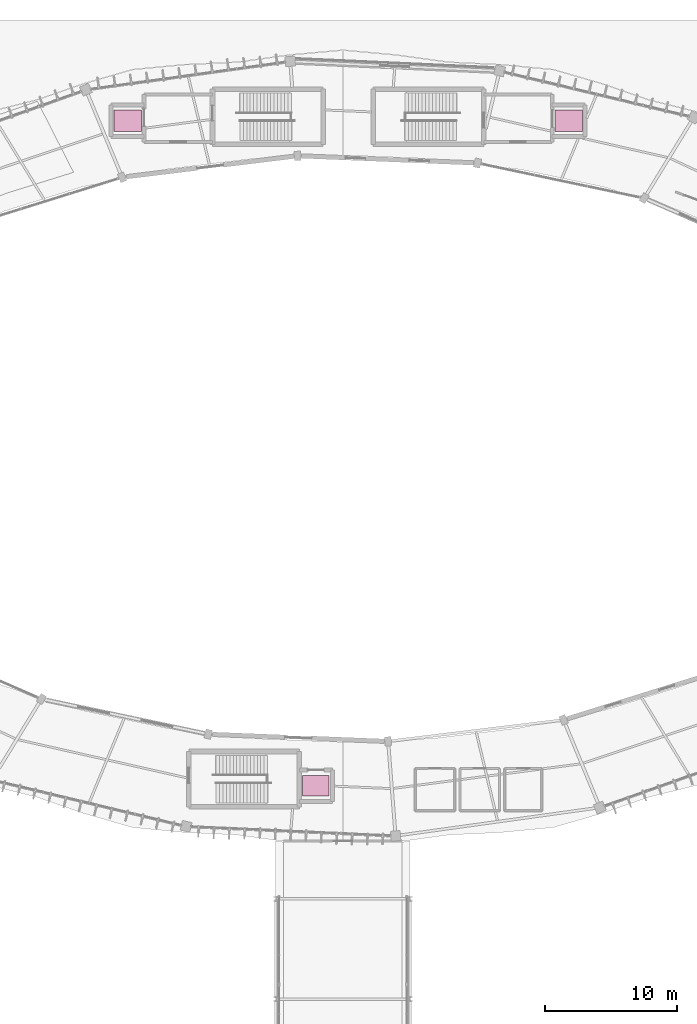
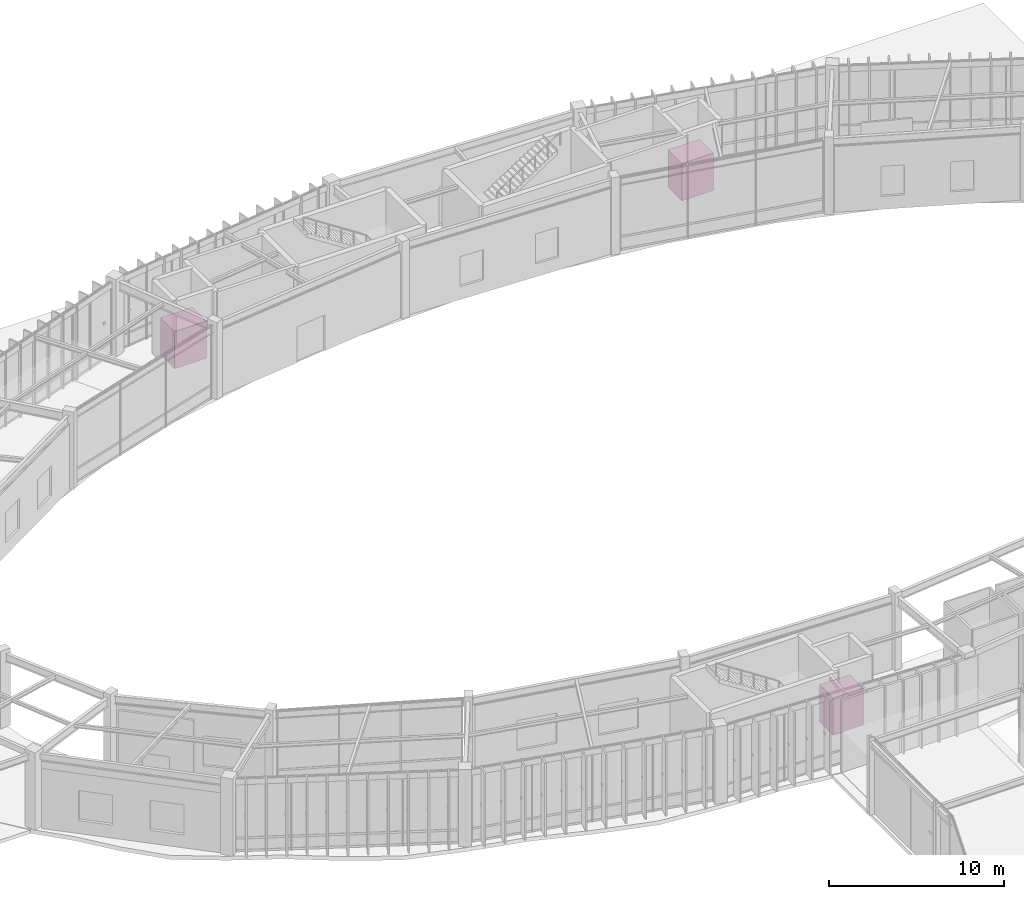
# One storey, part 157 of 157: 3 transport elements.
"""IFC4 building model written with IfcOpenShell, lengths in metres."""

import ifcopenshell
import ifcopenshell.guid

model = None  # the IFC model being written
_history = None  # IfcOwnerHistory: only IFC2X3 demands one
_inside = {}  # id of a spatial element -> (the spatial element, [elements in it])
_under = {}  # id of a project, library or spatial element -> (it, [spatial elements below it])
_declared = {}  # id of a project -> (the project, [libraries it declares])
_typed = {}  # id of a type object -> (the type object, [elements of that type])
_made_of = {}  # id of a material, layer set ... -> (it, [elements and type objects made of it])


def new_model(schema):
    """Start an empty IFC model of exactly this schema.

    Asked for "IFC4X3", IfcOpenShell would pick the latest addendum, in which some entities
    have other attributes; the version numbers below select the first issue.
    IFC2X3 requires an IfcOwnerHistory on every rooted entity: one is made here for all.
    """
    global model, _history
    if schema == "IFC4X3":
        model = ifcopenshell.file(schema_version=(4, 3, 0, 0))
    else:
        model = ifcopenshell.file(schema=schema)
    _inside.clear()
    _under.clear()
    _declared.clear()
    _typed.clear()
    _made_of.clear()
    _history = None
    if model.schema == "IFC2X3":
        org = make("IfcOrganization", Name="unknown")
        user = make(
            "IfcPersonAndOrganization",
            ThePerson=make("IfcPerson", FamilyName="unknown"),
            TheOrganization=org,
        )
        app = make(
            "IfcApplication",
            ApplicationDeveloper=org,
            Version="unknown",
            ApplicationFullName="unknown",
            ApplicationIdentifier="unknown",
        )
        _history = make(
            "IfcOwnerHistory",
            OwningUser=user,
            OwningApplication=app,
            ChangeAction="ADDED",
            CreationDate=0,
        )
    return model


def make(cls, **values):
    """One entity of the class cls with the attributes given. An attribute that is None is left unset."""
    return model.create_entity(
        cls, **{name: value for name, value in values.items() if value is not None}
    )


def rooted(cls, **values):
    """An entity with a GlobalId (a new one), such as an element, a storey or a relation."""
    return make(cls, GlobalId=ifcopenshell.guid.new(), OwnerHistory=_history, **values)


def si_unit(unit_type, name, prefix=None):
    """IfcSIUnit, for example si_unit("LENGTHUNIT", "METRE", prefix="MILLI")."""
    return make("IfcSIUnit", UnitType=unit_type, Prefix=prefix, Name=name)


def assignment(units):
    """IfcUnitAssignment: the units of a project."""
    return None if units is None else make("IfcUnitAssignment", Units=units)


def point(xyz):
    """IfcCartesianPoint."""
    return None if xyz is None else make("IfcCartesianPoint", Coordinates=xyz)


def direction(xyz):
    """IfcDirection."""
    return None if xyz is None else make("IfcDirection", DirectionRatios=xyz)


def frame(location, z_axis=None, x_axis=None):
    """IfcAxis2Placement3D, a coordinate frame: its origin and axes. An axis left out is left unset."""
    return make(
        "IfcAxis2Placement3D",
        Location=point(location),
        Axis=direction(z_axis),
        RefDirection=direction(x_axis),
    )


def frame_2d(location, x_axis=None):
    """IfcAxis2Placement2D, a coordinate frame in the plane: its origin and x axis."""
    return make(
        "IfcAxis2Placement2D", Location=point(location), RefDirection=direction(x_axis)
    )


def origin():
    """The frame at (0, 0, 0) with its axes left unset."""
    return frame((0.0, 0.0, 0.0))


def origin_2d():
    """The frame at (0, 0) in the plane with its x axis left unset."""
    return frame_2d((0.0, 0.0))


def place(relative_to, where):
    """IfcLocalPlacement: puts the frame where relative to a parent placement (None: the world)."""
    return make(
        "IfcLocalPlacement", PlacementRelTo=relative_to, RelativePlacement=where
    )


def context(
    kind, dimensions, precision=None, world=None, true_north=None, identifier=None
):
    """IfcGeometricRepresentationContext, for example the 3D "Model" context."""
    return make(
        "IfcGeometricRepresentationContext",
        ContextIdentifier=identifier,
        ContextType=kind,
        CoordinateSpaceDimension=dimensions,
        Precision=precision,
        WorldCoordinateSystem=world,
        TrueNorth=true_north,
    )


def subcontext(parent, identifier, kind, view, scale=None):
    """IfcGeometricRepresentationSubContext, for example "Body" below "Model"."""
    return make(
        "IfcGeometricRepresentationSubContext",
        ContextIdentifier=identifier,
        ContextType=kind,
        ParentContext=parent,
        TargetScale=scale,
        TargetView=view,
    )


def project(units=None, contexts=None):
    """IfcProject with its units and contexts."""
    return rooted(
        "IfcProject",
        Name="project",
        RepresentationContexts=contexts,
        UnitsInContext=assignment(units),
    )


def spatial(cls, under=None, at=None, **own):
    """A site, building, storey or space (cls), placed at a placement, below another one or the project."""
    s = rooted(cls, ObjectPlacement=at, **own)
    if under is not None:
        _under.setdefault(under.id(), (under, []))[1].append(s)
    return s


def profile(cls, at=None, kind="AREA", **sizes):
    """A parametric profile (cls). Its sizes go by their IFC names, for example OverallWidth=200.0."""
    return make(cls, ProfileType=kind, Position=at, **sizes)


def rectangle(**sizes):
    """IfcRectangleProfileDef."""
    return profile("IfcRectangleProfileDef", **sizes)


def extrude(swept, where, along, depth):
    """IfcExtrudedAreaSolid: the profile swept, set in the frame where, extruded along a direction by depth."""
    return make(
        "IfcExtrudedAreaSolid",
        SweptArea=swept,
        Position=where,
        ExtrudedDirection=direction(along),
        Depth=depth,
    )


def shape(context_of_items, identifier, shape_type, items):
    """IfcShapeRepresentation: the items that make up one representation, for example the "Body"."""
    return make(
        "IfcShapeRepresentation",
        ContextOfItems=context_of_items,
        RepresentationIdentifier=identifier,
        RepresentationType=shape_type,
        Items=items,
    )


def material(Name=None, Category=None):
    """IfcMaterial."""
    return make("IfcMaterial", Name=Name, Category=Category)


def made_of(thing, what):
    """Note that an element or type object is made of a material, layer set ...; save() writes the relation."""
    if what is not None:
        _made_of.setdefault(what.id(), (what, []))[1].append(thing)
    return thing


def type_object(cls, material=None, **own):
    """A type object (cls), such as IfcWallType, which elements share."""
    return made_of(rooted(cls, **own), material)


def element(
    cls,
    number,
    at=None,
    inside=None,
    cuts=None,
    type_object=None,
    material=None,
    context=None,
    identifier="Body",
    shape_type=None,
    held_by="IfcProductDefinitionShape",
    body=None,
    shapes=None,
    **own,
):
    """One element of the class cls, such as IfcWall. Its Tag is "e" and its number.

    at: its placement. inside: the storey or other place that contains it. cuts: it is an
    opening in that element (IfcRelVoidsElement). A single representation is given by context,
    identifier, shape_type and body (its items); several are given by shapes. held_by: the class
    of the entity that holds the representations. save() writes the other relations.
    """
    e = rooted(cls, Tag="e%d" % number, ObjectPlacement=at, **own)
    if body is not None:
        shapes = [shape(context, identifier, shape_type, body)]
    if shapes is not None:
        e.Representation = make(held_by, Representations=shapes)
    if inside is not None:
        _inside.setdefault(inside.id(), (inside, []))[1].append(e)
    if cuts is not None:
        rooted(
            "IfcRelVoidsElement", RelatingBuildingElement=cuts, RelatedOpeningElement=e
        )
    if type_object is not None:
        _typed.setdefault(type_object.id(), (type_object, []))[1].append(e)
    return made_of(e, material)


def aggregate(whole, parts):
    """IfcRelAggregates: a whole, such as a stair, and the parts it consists of."""
    return rooted("IfcRelAggregates", RelatingObject=whole, RelatedObjects=parts)


def save(model, path):
    """Write the relations noted so far, then the file.

    IfcRelAggregates (storeys below a building ...), IfcRelContainedInSpatialStructure (elements
    in a storey), IfcRelDefinesByType, IfcRelAssociatesMaterial and IfcRelDeclares: one each for
    every whole, place, type object, material and project.
    """
    for whole, parts in _under.values():
        aggregate(whole, parts)
    for where, things in _inside.values():
        rooted(
            "IfcRelContainedInSpatialStructure",
            RelatedElements=things,
            RelatingStructure=where,
        )
    for kind, things in _typed.values():
        rooted("IfcRelDefinesByType", RelatedObjects=things, RelatingType=kind)
    for what, things in _made_of.values():
        rooted("IfcRelAssociatesMaterial", RelatedObjects=things, RelatingMaterial=what)
    for by, libraries in _declared.values():
        rooted("IfcRelDeclares", RelatingContext=by, RelatedDefinitions=libraries)
    model.write(path)


model = new_model("IFC4")

# Units and contexts
model_context = context("Model", 3, precision=1e-05, world=origin(), true_north=direction((0.0, 1.0)))
body_context = subcontext(model_context, "Body", "Model", "MODEL_VIEW")
ifc_project = project(units=[si_unit("LENGTHUNIT", "METRE"), si_unit("AREAUNIT", "SQUARE_METRE"), si_unit("VOLUMEUNIT", "CUBIC_METRE"), si_unit("PLANEANGLEUNIT", "RADIAN"), si_unit("MASSUNIT", "GRAM", prefix="KILO"), si_unit("THERMODYNAMICTEMPERATUREUNIT", "KELVIN"), si_unit("POWERUNIT", "WATT")], contexts=[model_context])

# Site, building, storey
site_placement = place(None, origin())
site = spatial("IfcSite", under=ifc_project, at=site_placement, CompositionType="ELEMENT")
building_placement = place(site_placement, origin())
building = spatial("IfcBuilding", under=site, at=building_placement, Name="Darbajah Civic Hall", CompositionType="ELEMENT")
storey_placement = place(building_placement, origin())
storey = spatial("IfcBuildingStorey", under=building, at=storey_placement, Name="L00", CompositionType="ELEMENT", Elevation=0.0)

# Transport elements
ifc_material = material(Name="Stainless Steel Lift Car Assembly", Category="steel")
transport_element_type_1 = type_object("IfcTransportElementType", Name="Firefighting Stretcher Lift 1600kg", PredefinedType="ELEVATOR", material=ifc_material)
for number, where, z_axis, x_axis, name in (
    (1, (72.75, 114.699951171875, 0.0), (0.0, 0.0, 1.0), (1.0, 0.0, 0.0), "Lift FL1"),
    (2, (106.25, 114.699951171875, 0.0), (0.0, 0.0, 1.0), (1.0, 0.0, 0.0), "Lift FL2"),
):
    element("IfcTransportElement", number, at=place(storey_placement, frame(where, z_axis=z_axis, x_axis=x_axis)), inside=storey, type_object=transport_element_type_1, Name=name, PredefinedType="ELEVATOR", context=body_context, shape_type="SweptSolid", body=[
        extrude(rectangle(XDim=2.10009765625, YDim=1.60009765625, at=origin_2d()), origin(), (0.0, 0.0, 1.0), 2.60009765625),
    ])
transport_element_type_2 = type_object("IfcTransportElementType", Name="Passenger Lift 1350kg", PredefinedType="ELEVATOR", material=ifc_material)
transport_element_placement = place(storey_placement, frame((87.050048828125, 64.199951171875, 0.0), z_axis=(0.0, 0.0, 1.0), x_axis=(1.0, 0.0, 0.0)))
element("IfcTransportElement", 3, at=transport_element_placement, inside=storey, type_object=transport_element_type_2, Name="Lift PL1", PredefinedType="ELEVATOR", context=body_context, shape_type="SweptSolid", body=[
    extrude(rectangle(XDim=2.0, YDim=1.550048828125, at=origin_2d()), origin(), (0.0, 0.0, 1.0), 2.60009765625),
])

save(model, "model.ifc")
